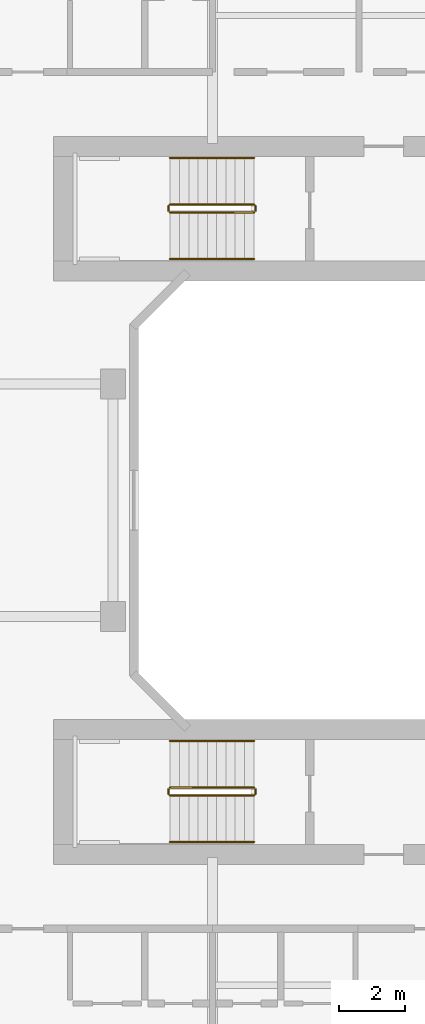
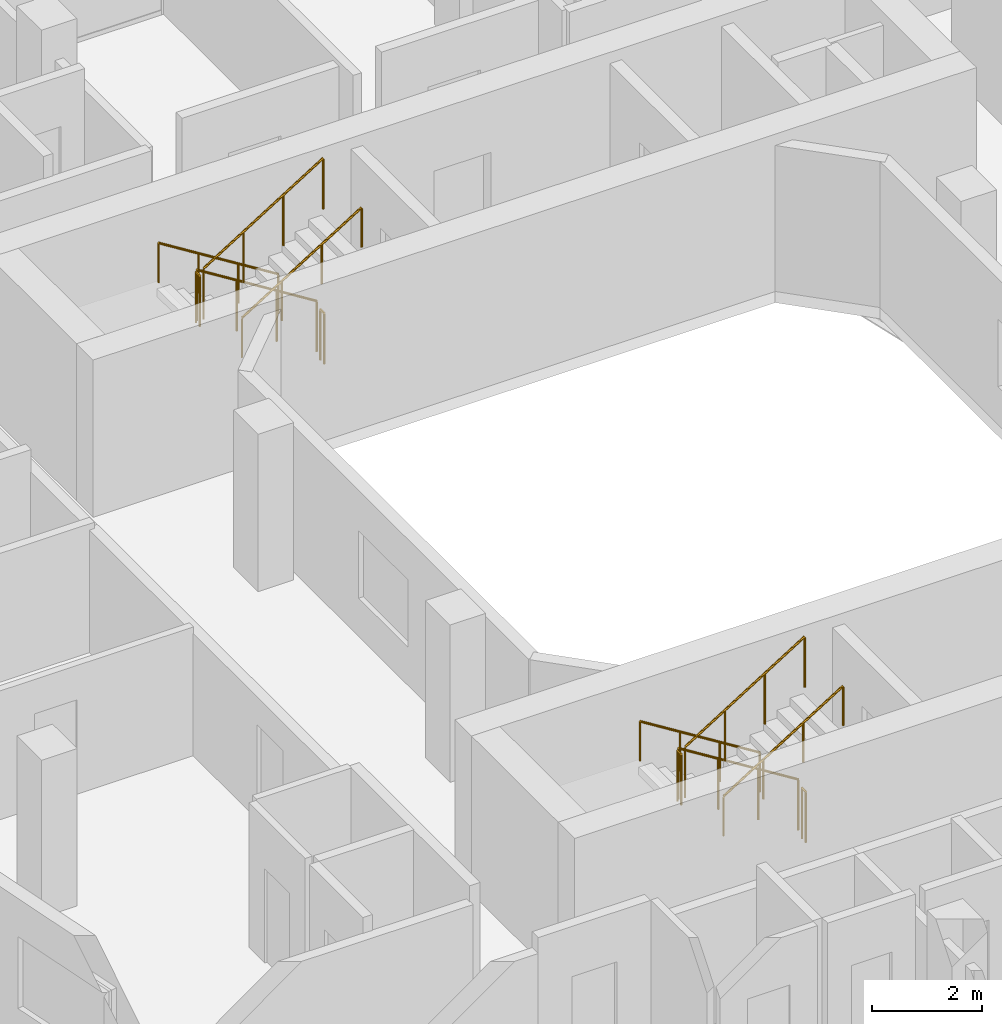
# One storey, part 26 of 26: 12 railings.
"""IFC4 building model written with IfcOpenShell, lengths in metres."""

from ifc_helpers import new_model, si_unit, derived_unit, direction, frame, origin, origin_2d, place, context, subcontext, project, spatial, circle, extrude, material, type_object, element, save


model = new_model("IFC4")

# Units and contexts
model_context = context("Model", 3, precision=1e-05, world=origin(), true_north=direction((0.0, 1.0)))
body_context = subcontext(model_context, "Body", "Model", "MODEL_VIEW")
ifc_project = project(units=[si_unit("LENGTHUNIT", "METRE"), si_unit("AREAUNIT", "SQUARE_METRE"), si_unit("VOLUMEUNIT", "CUBIC_METRE"), si_unit("PLANEANGLEUNIT", "RADIAN"), si_unit("MASSUNIT", "GRAM", prefix="KILO"), derived_unit("THERMALTRANSMITTANCEUNIT", [(si_unit("POWERUNIT", "WATT"), 1), (si_unit("LENGTHUNIT", "METRE"), -2), (si_unit("THERMODYNAMICTEMPERATUREUNIT", "KELVIN"), -1)])], contexts=[model_context])

# Site, building, storey
site_placement = place(None, origin())
site = spatial("IfcSite", under=ifc_project, at=site_placement, CompositionType="ELEMENT")
building_placement = place(site_placement, origin())
building = spatial("IfcBuilding", under=site, at=building_placement, Name="Kivonza Crest Hotel", CompositionType="ELEMENT")
storey_placement = place(building_placement, frame((0.0, 0.0, 55.5)))
storey = spatial("IfcBuildingStorey", under=building, at=storey_placement, Name="L14", CompositionType="ELEMENT", Elevation=55.5)

# Railings
ifc_material_1 = material(Name="Brushed stainless steel handrail", Category="steel")
railing_type_1 = type_object("IfcRailingType", Name="RL-HAND-900", PredefinedType="HANDRAIL", material=ifc_material_1)
railing_1_placement = place(storey_placement, frame((73.840087890625, 35.31005859375, 0.175048828125)))
element("IfcRailing", 1, at=railing_1_placement, inside=storey, type_object=railing_type_1, Name="L14 ST-T2-N stair handrail 1", PredefinedType="HANDRAIL", context=body_context, shape_type="SweptSolid", body=[
    extrude(circle(Radius=0.02392578125, at=origin_2d()), frame((0.0, 0.0, 0.8759765625), z_axis=(-0.848007534815, 0.0, 0.529984170421), x_axis=(0.0, -1.0, 0.0)), (0.0, 0.0, 1.0), 2.9716796875),
    extrude(circle(Radius=0.02099609375, at=origin_2d()), origin(), (0.0, 0.0, 1.0), 0.851806640625),
    extrude(circle(Radius=0.02099609375, at=origin_2d()), frame((-0.840087890625, 0.0, 0.52490234375)), (0.0, 0.0, 1.0), 0.851806640625),
    extrude(circle(Radius=0.02099609375, at=origin_2d()), frame((-1.679931640625, 0.0, 1.050048828125)), (0.0, 0.0, 1.0), 0.851806640625),
    extrude(circle(Radius=0.02099609375, at=origin_2d()), frame((-2.52001953125, 0.0, 1.574951171875)), (0.0, 0.0, 1.0), 0.851806640625),
])
railing_2_placement = place(storey_placement, frame((71.320068359375, 32.27001953125, 1.925048828125)))
element("IfcRailing", 2, at=railing_2_placement, inside=storey, type_object=railing_type_1, Name="L14 ST-T2-N stair handrail 2", PredefinedType="HANDRAIL", context=body_context, shape_type="SweptSolid", body=[
    extrude(circle(Radius=0.02392578125, at=origin_2d()), frame((0.0, 0.0, 0.8759765625), z_axis=(0.848007534815, 0.0, 0.529984170421), x_axis=(0.0, 1.0, 0.0)), (0.0, 0.0, 1.0), 2.9716796875),
    extrude(circle(Radius=0.02099609375, at=origin_2d()), origin(), (0.0, 0.0, 1.0), 0.851806640625),
    extrude(circle(Radius=0.02099609375, at=origin_2d()), frame((0.840087890625, 0.0, 0.52490234375)), (0.0, 0.0, 1.0), 0.851806640625),
    extrude(circle(Radius=0.02099609375, at=origin_2d()), frame((1.679931640625, 0.0, 1.050048828125)), (0.0, 0.0, 1.0), 0.851806640625),
    extrude(circle(Radius=0.02099609375, at=origin_2d()), frame((2.52001953125, 0.0, 1.574951171875)), (0.0, 0.0, 1.0), 0.851806640625),
])
railing_3_placement = place(storey_placement, frame((73.840087890625, 17.75, 0.175048828125)))
element("IfcRailing", 3, at=railing_3_placement, inside=storey, type_object=railing_type_1, Name="L14 ST-T2-S stair handrail 1", PredefinedType="HANDRAIL", context=body_context, shape_type="SweptSolid", body=[
    extrude(circle(Radius=0.02392578125, at=origin_2d()), frame((0.0, 0.0, 0.8759765625), z_axis=(-0.848007534815, 0.0, 0.529984170421), x_axis=(0.0, -1.0, 0.0)), (0.0, 0.0, 1.0), 2.9716796875),
    extrude(circle(Radius=0.02099609375, at=origin_2d()), origin(), (0.0, 0.0, 1.0), 0.851806640625),
    extrude(circle(Radius=0.02099609375, at=origin_2d()), frame((-0.840087890625, 0.0, 0.52490234375)), (0.0, 0.0, 1.0), 0.851806640625),
    extrude(circle(Radius=0.02099609375, at=origin_2d()), frame((-1.679931640625, 0.0, 1.050048828125)), (0.0, 0.0, 1.0), 0.851806640625),
    extrude(circle(Radius=0.02099609375, at=origin_2d()), frame((-2.52001953125, 0.0, 1.574951171875)), (0.0, 0.0, 1.0), 0.851806640625),
])
railing_4_placement = place(storey_placement, frame((71.320068359375, 14.7099609375, 1.925048828125)))
element("IfcRailing", 4, at=railing_4_placement, inside=storey, type_object=railing_type_1, Name="L14 ST-T2-S stair handrail 2", PredefinedType="HANDRAIL", context=body_context, shape_type="SweptSolid", body=[
    extrude(circle(Radius=0.02392578125, at=origin_2d()), frame((0.0, 0.0, 0.8759765625), z_axis=(0.848007534815, 0.0, 0.529984170421), x_axis=(0.0, 1.0, 0.0)), (0.0, 0.0, 1.0), 2.9716796875),
    extrude(circle(Radius=0.02099609375, at=origin_2d()), origin(), (0.0, 0.0, 1.0), 0.851806640625),
    extrude(circle(Radius=0.02099609375, at=origin_2d()), frame((0.840087890625, 0.0, 0.52490234375)), (0.0, 0.0, 1.0), 0.851806640625),
    extrude(circle(Radius=0.02099609375, at=origin_2d()), frame((1.679931640625, 0.0, 1.050048828125)), (0.0, 0.0, 1.0), 0.851806640625),
    extrude(circle(Radius=0.02099609375, at=origin_2d()), frame((2.52001953125, 0.0, 1.574951171875)), (0.0, 0.0, 1.0), 0.851806640625),
])
ifc_material_2 = material(Name="Painted steel balustrade", Category="steel")
railing_type_2 = type_object("IfcRailingType", Name="RL-STAIR-1150", PredefinedType="BALUSTRADE", material=ifc_material_2)
railing_5_placement = place(storey_placement, frame((73.840087890625, 33.909912109375, 0.175048828125)))
element("IfcRailing", 5, at=railing_5_placement, inside=storey, type_object=railing_type_2, Name="L14 ST-T2-N stair guard 1", PredefinedType="BALUSTRADE", context=body_context, shape_type="SweptSolid", body=[
    extrude(circle(Radius=0.02392578125, at=origin_2d()), frame((0.0, 0.0, 1.1259765625), z_axis=(-0.848007534815, 0.0, 0.529984170421), x_axis=(0.0, -1.0, 0.0)), (0.0, 0.0, 1.0), 2.9716796875),
    extrude(circle(Radius=0.02099609375, at=origin_2d()), origin(), (0.0, 0.0, 1.0), 1.101806640625),
    extrude(circle(Radius=0.02099609375, at=origin_2d()), frame((-0.840087890625, 0.0, 0.52490234375)), (0.0, 0.0, 1.0), 1.101806640625),
    extrude(circle(Radius=0.02099609375, at=origin_2d()), frame((-1.679931640625, 0.0, 1.050048828125)), (0.0, 0.0, 1.0), 1.101806640625),
    extrude(circle(Radius=0.02099609375, at=origin_2d()), frame((-2.52001953125, 0.0, 1.574951171875)), (0.0, 0.0, 1.0), 1.101806640625),
])
railing_6_placement = place(storey_placement, frame((71.27001953125, 33.860107421875, 1.75)))
element("IfcRailing", 6, at=railing_6_placement, inside=storey, type_object=railing_type_2, Name="L14 ST-T2-N stair guard 2", PredefinedType="BALUSTRADE", context=body_context, shape_type="SweptSolid", body=[
    extrude(circle(Radius=0.02392578125, at=origin_2d()), frame((0.0, 0.0, 1.1259765625), z_axis=(0.0, -1.0, 0.0), x_axis=(1.0, 0.0, 0.0)), (0.0, 0.0, 1.0), 0.14013671875),
    extrude(circle(Radius=0.02099609375, at=origin_2d()), origin(), (0.0, 0.0, 1.0), 1.101806640625),
    extrude(circle(Radius=0.02099609375, at=origin_2d()), frame((0.0, -0.14013671875, 0.0)), (0.0, 0.0, 1.0), 1.101806640625),
])
railing_7_placement = place(storey_placement, frame((71.320068359375, 33.669921875, 1.925048828125)))
element("IfcRailing", 7, at=railing_7_placement, inside=storey, type_object=railing_type_2, Name="L14 ST-T2-N stair guard 3", PredefinedType="BALUSTRADE", context=body_context, shape_type="SweptSolid", body=[
    extrude(circle(Radius=0.02392578125, at=origin_2d()), frame((0.0, 0.0, 1.1259765625), z_axis=(0.848007534815, 0.0, 0.529984170421), x_axis=(0.0, 1.0, 0.0)), (0.0, 0.0, 1.0), 2.9716796875),
    extrude(circle(Radius=0.02099609375, at=origin_2d()), origin(), (0.0, 0.0, 1.0), 1.101806640625),
    extrude(circle(Radius=0.02099609375, at=origin_2d()), frame((0.840087890625, 0.0, 0.52490234375)), (0.0, 0.0, 1.0), 1.101806640625),
    extrude(circle(Radius=0.02099609375, at=origin_2d()), frame((1.679931640625, 0.0, 1.050048828125)), (0.0, 0.0, 1.0), 1.101806640625),
    extrude(circle(Radius=0.02099609375, at=origin_2d()), frame((2.52001953125, 0.0, 1.574951171875)), (0.0, 0.0, 1.0), 1.101806640625),
])
railing_8_placement = place(storey_placement, frame((73.889892578125, 33.860107421875, 0.0)))
element("IfcRailing", 8, at=railing_8_placement, inside=storey, type_object=railing_type_2, Name="L14 ST-T2-N stair guard 4", PredefinedType="BALUSTRADE", context=body_context, shape_type="SweptSolid", body=[
    extrude(circle(Radius=0.02392578125, at=origin_2d()), frame((0.0, 0.0, 1.1259765625), z_axis=(0.0, -1.0, 0.0), x_axis=(1.0, 0.0, 0.0)), (0.0, 0.0, 1.0), 0.14013671875),
    extrude(circle(Radius=0.02099609375, at=origin_2d()), origin(), (0.0, 0.0, 1.0), 1.101806640625),
    extrude(circle(Radius=0.02099609375, at=origin_2d()), frame((0.0, -0.14013671875, 0.0)), (0.0, 0.0, 1.0), 1.101806640625),
])
railing_9_placement = place(storey_placement, frame((73.840087890625, 16.35009765625, 0.175048828125)))
element("IfcRailing", 9, at=railing_9_placement, inside=storey, type_object=railing_type_2, Name="L14 ST-T2-S stair guard 1", PredefinedType="BALUSTRADE", context=body_context, shape_type="SweptSolid", body=[
    extrude(circle(Radius=0.02392578125, at=origin_2d()), frame((0.0, 0.0, 1.1259765625), z_axis=(-0.848007534815, 0.0, 0.529984170421), x_axis=(0.0, -1.0, 0.0)), (0.0, 0.0, 1.0), 2.9716796875),
    extrude(circle(Radius=0.02099609375, at=origin_2d()), origin(), (0.0, 0.0, 1.0), 1.101806640625),
    extrude(circle(Radius=0.02099609375, at=origin_2d()), frame((-0.840087890625, 0.0, 0.52490234375)), (0.0, 0.0, 1.0), 1.101806640625),
    extrude(circle(Radius=0.02099609375, at=origin_2d()), frame((-1.679931640625, 0.0, 1.050048828125)), (0.0, 0.0, 1.0), 1.101806640625),
    extrude(circle(Radius=0.02099609375, at=origin_2d()), frame((-2.52001953125, 0.0, 1.574951171875)), (0.0, 0.0, 1.0), 1.101806640625),
])
railing_10_placement = place(storey_placement, frame((71.27001953125, 16.300048828125, 1.75)))
element("IfcRailing", 10, at=railing_10_placement, inside=storey, type_object=railing_type_2, Name="L14 ST-T2-S stair guard 2", PredefinedType="BALUSTRADE", context=body_context, shape_type="SweptSolid", body=[
    extrude(circle(Radius=0.02392578125, at=origin_2d()), frame((0.0, 0.0, 1.1259765625), z_axis=(0.0, -1.0, 0.0), x_axis=(1.0, 0.0, 0.0)), (0.0, 0.0, 1.0), 0.14013671875),
    extrude(circle(Radius=0.02099609375, at=origin_2d()), origin(), (0.0, 0.0, 1.0), 1.101806640625),
    extrude(circle(Radius=0.02099609375, at=origin_2d()), frame((0.0, -0.14013671875, 0.0)), (0.0, 0.0, 1.0), 1.101806640625),
])
railing_11_placement = place(storey_placement, frame((71.320068359375, 16.110107421875, 1.925048828125)))
element("IfcRailing", 11, at=railing_11_placement, inside=storey, type_object=railing_type_2, Name="L14 ST-T2-S stair guard 3", PredefinedType="BALUSTRADE", context=body_context, shape_type="SweptSolid", body=[
    extrude(circle(Radius=0.02392578125, at=origin_2d()), frame((0.0, 0.0, 1.1259765625), z_axis=(0.848007534815, 0.0, 0.529984170421), x_axis=(0.0, 1.0, 0.0)), (0.0, 0.0, 1.0), 2.9716796875),
    extrude(circle(Radius=0.02099609375, at=origin_2d()), origin(), (0.0, 0.0, 1.0), 1.101806640625),
    extrude(circle(Radius=0.02099609375, at=origin_2d()), frame((0.840087890625, 0.0, 0.52490234375)), (0.0, 0.0, 1.0), 1.101806640625),
    extrude(circle(Radius=0.02099609375, at=origin_2d()), frame((1.679931640625, 0.0, 1.050048828125)), (0.0, 0.0, 1.0), 1.101806640625),
    extrude(circle(Radius=0.02099609375, at=origin_2d()), frame((2.52001953125, 0.0, 1.574951171875)), (0.0, 0.0, 1.0), 1.101806640625),
])
railing_12_placement = place(storey_placement, frame((73.889892578125, 16.300048828125, 0.0)))
element("IfcRailing", 12, at=railing_12_placement, inside=storey, type_object=railing_type_2, Name="L14 ST-T2-S stair guard 4", PredefinedType="BALUSTRADE", context=body_context, shape_type="SweptSolid", body=[
    extrude(circle(Radius=0.02392578125, at=origin_2d()), frame((0.0, 0.0, 1.1259765625), z_axis=(0.0, -1.0, 0.0), x_axis=(1.0, 0.0, 0.0)), (0.0, 0.0, 1.0), 0.14013671875),
    extrude(circle(Radius=0.02099609375, at=origin_2d()), origin(), (0.0, 0.0, 1.0), 1.101806640625),
    extrude(circle(Radius=0.02099609375, at=origin_2d()), frame((0.0, -0.14013671875, 0.0)), (0.0, 0.0, 1.0), 1.101806640625),
])

save(model, "model.ifc")
